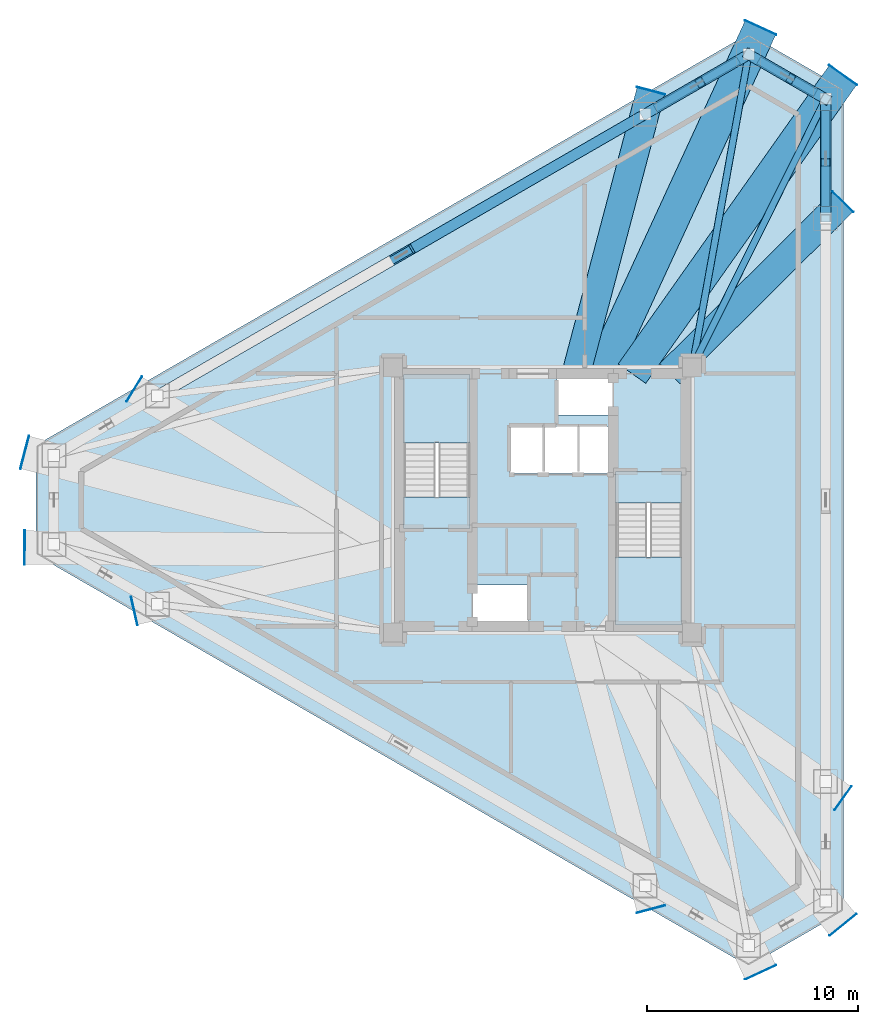
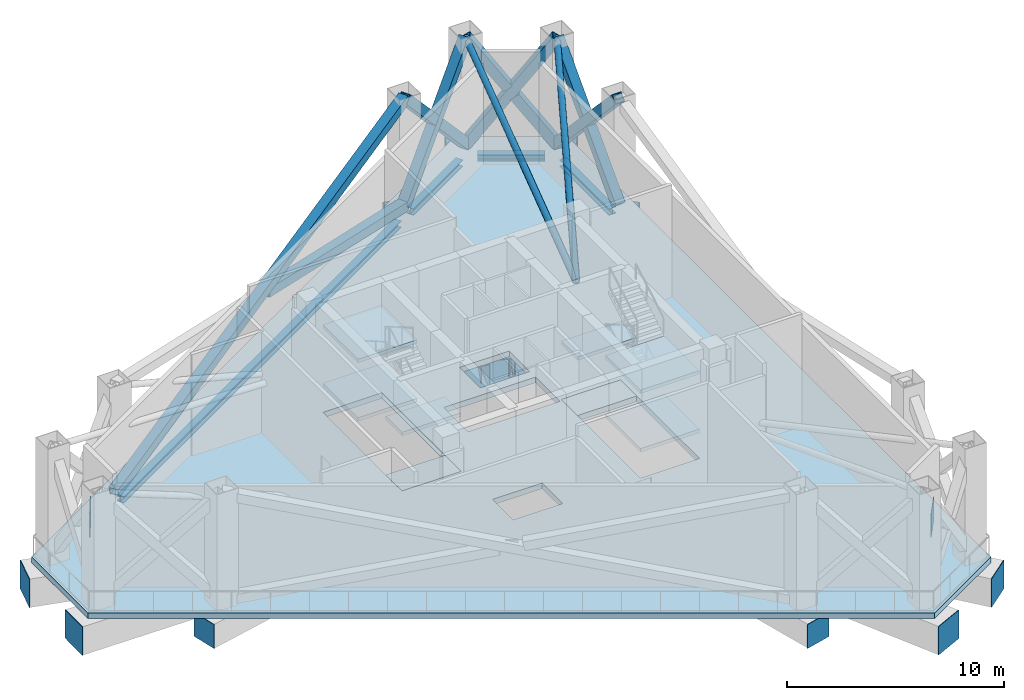
# One storey, part 2 of 7: 13 members, 12 plates, 9 slabs, 8 beams, 2 elements without a shape of their own.
"""IFC4 building model written with IfcOpenShell, lengths in metres."""

from ifc_helpers import new_model, si_unit, direction, frame, origin, origin_2d, place, context, subcontext, project, spatial, polyline, rectangle, hollow_rectangle, hollow_circle, i_section, outline, extrude, material, layer, layer_set, material_profile, profile_set, type_object, element, aggregate, save


model = new_model("IFC4")

# Units and contexts
model_context = context("Model", 3, precision=1e-05, world=origin(), true_north=direction((0.0, 1.0)))
body_context = subcontext(model_context, "Body", "Model", "MODEL_VIEW")
ifc_project = project(units=[si_unit("LENGTHUNIT", "METRE"), si_unit("AREAUNIT", "SQUARE_METRE"), si_unit("VOLUMEUNIT", "CUBIC_METRE"), si_unit("PLANEANGLEUNIT", "RADIAN"), si_unit("MASSUNIT", "GRAM", prefix="KILO")], contexts=[model_context])

# Site, building, storey
site_placement = place(None, origin())
site = spatial("IfcSite", under=ifc_project, at=site_placement, CompositionType="ELEMENT")
building_placement = place(site_placement, origin())
building = spatial("IfcBuilding", under=site, at=building_placement, Name="Mersakhor Tower and Convention Hall", CompositionType="ELEMENT")
storey_placement = place(building_placement, frame((0.0, 0.0, 66.89990234375)))
storey = spatial("IfcBuildingStorey", under=building, at=storey_placement, Name="L18", CompositionType="ELEMENT", Elevation=66.89990234375)

# Beams
ifc_material_1 = material(Name="Steel S355", Category="steel")
ifc_material_profile_1 = material_profile(ifc_material_1, i_section(OverallWidth=0.374755859375, OverallDepth=0.37451171875, WebThickness=0.0166015625, FlangeThickness=0.027099609375, at=origin_2d()), Name="UC 356x368x202")
ifc_profile_set_1 = profile_set([ifc_material_profile_1], Name="Steel S355")
beam_type_1 = type_object("IfcBeamType", Name="BM-SPD-UC356", PredefinedType="SPANDREL", material=ifc_profile_set_1)
beam_1_placement = place(storey_placement, frame((11.18310546875, 31.976318359375, -0.50732421875), z_axis=(0.866022538643, 0.500004962538, 0.0), x_axis=(-0.500004962538, 0.866022538643, 0.0)))
element("IfcBeam", 1, at=beam_1_placement, inside=storey, type_object=beam_type_1, Name="L18 Perimeter Spandrel Beam SPB-02", PredefinedType="SPANDREL", context=body_context, shape_type="SweptSolid", body=[
    extrude(i_section(OverallWidth=0.374755859375, OverallDepth=0.37451171875, WebThickness=0.0166015625, FlangeThickness=0.027099609375, at=origin_2d()), origin(), (0.0, 0.0, 1.0), 25.633544921875),
])
beam_2_placement = place(storey_placement, frame((34.343505859375, 45.34814453125, -0.50732421875), z_axis=(0.866046694585, 0.499963121439, 0.0), x_axis=(-0.499963121439, 0.866046694585, 0.0)))
element("IfcBeam", 2, at=beam_2_placement, inside=storey, type_object=beam_type_1, Name="L18 Perimeter Spandrel Beam SPB-03", PredefinedType="SPANDREL", context=body_context, shape_type="SweptSolid", body=[
    extrude(i_section(OverallWidth=0.374755859375, OverallDepth=0.37451171875, WebThickness=0.0166015625, FlangeThickness=0.027099609375, at=origin_2d()), origin(), (0.0, 0.0, 1.0), 4.566162109375),
])
beam_3_placement = place(storey_placement, frame((39.25927734375, 47.631103515625, -0.50732421875), z_axis=(0.866052319632, -0.499953377486, 0.0), x_axis=(0.499953377486, 0.866052319632, 0.0)))
element("IfcBeam", 3, at=beam_3_placement, inside=storey, type_object=beam_type_1, Name="L18 Perimeter Spandrel Beam SPB-04", PredefinedType="SPANDREL", context=body_context, shape_type="SweptSolid", body=[
    extrude(i_section(OverallWidth=0.374755859375, OverallDepth=0.37451171875, WebThickness=0.0166015625, FlangeThickness=0.027099609375, at=origin_2d()), origin(), (0.0, 0.0, 1.0), 3.111572265625),
])
beam_4_placement = place(storey_placement, frame((42.4345703125, 45.242919921875, -0.50732421875), z_axis=(0.0, -1.0, 0.0), x_axis=(1.0, 0.0, 0.0)))
element("IfcBeam", 4, at=beam_4_placement, inside=storey, type_object=beam_type_1, Name="L18 Perimeter Spandrel Beam SPB-05", PredefinedType="SPANDREL", context=body_context, shape_type="SweptSolid", body=[
    extrude(i_section(OverallWidth=0.374755859375, OverallDepth=0.37451171875, WebThickness=0.0166015625, FlangeThickness=0.027099609375, at=origin_2d()), origin(), (0.0, 0.0, 1.0), 4.566162109375),
])
ifc_material_2 = material(Name="Steel S460", Category="steel")
ifc_material_profile_2 = material_profile(ifc_material_2, hollow_rectangle(XDim=1.35009765625, YDim=1.35009765625, WallThickness=0.035888671875, at=origin_2d()), Name="SHS 1350x1350x36")
ifc_profile_set_2 = profile_set([ifc_material_profile_2], Name="Steel S460")
beam_type_2 = type_object("IfcBeamType", Name="BM-TR-BOX1350", PredefinedType="BEAM", material=ifc_profile_set_2)
beam_5_placement = place(storey_placement, frame((34.13330078125, 46.168212890625, -0.994873046875), z_axis=(-0.255571992926, -0.966790027065, 0.0), x_axis=(0.966790027065, -0.255571992926, 0.0)))
element("IfcBeam", 5, at=beam_5_placement, inside=storey, type_object=beam_type_2, Name="L18 Taper Step Transfer Girder STG-03", PredefinedType="BEAM", context=body_context, shape_type="SweptSolid", body=[
    extrude(hollow_rectangle(XDim=1.35009765625, YDim=1.35009765625, WallThickness=0.035888671875, at=origin_2d()), origin(), (0.0, 0.0, 1.0), 13.879150390625),
])
beam_6_placement = place(storey_placement, frame((43.25, 40.904541015625, -0.994873046875), z_axis=(-0.709486918074, -0.704718605602, 0.0), x_axis=(0.704718605602, -0.709486918074, 0.0)))
element("IfcBeam", 6, at=beam_6_placement, inside=storey, type_object=beam_type_2, Name="L18 Taper Step Transfer Girder STG-06", PredefinedType="BEAM", context=body_context, shape_type="SweptSolid", body=[
    extrude(hollow_rectangle(XDim=1.35009765625, YDim=1.35009765625, WallThickness=0.035888671875, at=origin_2d()), origin(), (0.0, 0.0, 1.0), 11.5712890625),
])
ifc_material_3 = material(Name="Steel S460", Category="steel")
ifc_material_profile_3 = material_profile(ifc_material_3, hollow_rectangle(XDim=1.60009765625, YDim=1.60009765625, WallThickness=0.0400390625, at=origin_2d()), Name="SHS 1600x1600x40")
ifc_profile_set_3 = profile_set([ifc_material_profile_3], Name="Steel S460")
beam_type_3 = type_object("IfcBeamType", Name="BM-TR-BOX1600", PredefinedType="BEAM", material=ifc_profile_set_3)
beam_7_placement = place(storey_placement, frame((39.3369140625, 49.172607421875, -1.119873046875), z_axis=(-0.418654039532, -0.90814580062, 0.0), x_axis=(0.90814580062, -0.418654039532, 0.0)))
element("IfcBeam", 7, at=beam_7_placement, inside=storey, type_object=beam_type_3, Name="L18 Taper Step Transfer Girder STG-04", PredefinedType="BEAM", context=body_context, shape_type="SweptSolid", body=[
    extrude(hollow_rectangle(XDim=1.60009765625, YDim=1.60009765625, WallThickness=0.0400390625, at=origin_2d()), origin(), (0.0, 0.0, 1.0), 18.083740234375),
])
beam_8_placement = place(storey_placement, frame((43.25, 46.913330078125, -1.119873046875), z_axis=(-0.577140168777, -0.816645103814, 0.0), x_axis=(0.816645103814, -0.577140168777, 0.0)))
element("IfcBeam", 8, at=beam_8_placement, inside=storey, type_object=beam_type_3, Name="L18 Taper Step Transfer Girder STG-05", PredefinedType="BEAM", context=body_context, shape_type="SweptSolid", body=[
    extrude(hollow_rectangle(XDim=1.60009765625, YDim=1.60009765625, WallThickness=0.0400390625, at=origin_2d()), origin(), (0.0, 0.0, 1.0), 17.34326171875),
])

# Members
ifc_material_4 = material(Name="Steel S460", Category="steel")
ifc_material_profile_4 = material_profile(ifc_material_4, hollow_rectangle(XDim=0.5, YDim=0.5, WallThickness=0.030029296875, at=origin_2d()), Name="SHS 500x500x30")
ifc_profile_set_4 = profile_set([ifc_material_profile_4], Name="Steel S460")
member_type_1 = type_object("IfcMemberType", Name="MB-BRC-SHS500", PredefinedType="BRACE", material=ifc_profile_set_4)
member_1_placement = place(storey_placement, frame((10.702392578125, 31.698974609375, 0.2001953125), z_axis=(0.845020615703, 0.487869911158, 0.218913473373), x_axis=(-0.499997718057, 0.866026721261, 0.0)))
element("IfcMember", 9, at=member_1_placement, inside=storey, type_object=member_type_1, Name="L18 Wind Zone Perimeter Diagonal WD-02A", PredefinedType="BRACE", context=body_context, shape_type="SweptSolid", body=[
    extrude(hollow_rectangle(XDim=0.5, YDim=0.5, WallThickness=0.030029296875, at=origin_2d()), origin(), (0.0, 0.0, 1.0), 27.408203125),
])
member_2_placement = place(storey_placement, frame((33.86279296875, 45.070556640625, 0.2001953125), z_axis=(-0.845023877506, -0.487864002441, 0.218914050639), x_axis=(0.499991728822, -0.866030179099, 0.0)))
element("IfcMember", 10, at=member_2_placement, inside=storey, type_object=member_type_1, Name="L18 Wind Zone Perimeter Diagonal WD-02B Lower Half", PredefinedType="BRACE", context=body_context, shape_type="SweptSolid", body=[
    extrude(hollow_rectangle(XDim=0.5, YDim=0.5, WallThickness=0.030029296875, at=origin_2d()), origin(), (0.0, 0.0, 1.0), 13.110595703125),
])
member_3_placement = place(storey_placement, frame((33.86279296875, 45.070556640625, 0.2001953125), z_axis=(0.595182749508, 0.343613402018, 0.726420900472), x_axis=(-0.499983064336, 0.866035181374, 0.0)))
element("IfcMember", 11, at=member_3_placement, inside=storey, type_object=member_type_1, Name="L18 Wind Zone Perimeter Diagonal WD-03A", PredefinedType="BRACE", context=body_context, shape_type="SweptSolid", body=[
    extrude(hollow_rectangle(XDim=0.5, YDim=0.5, WallThickness=0.030029296875, at=origin_2d()), origin(), (0.0, 0.0, 1.0), 8.259765625),
])
member_4_placement = place(storey_placement, frame((38.77880859375, 47.90869140625, 0.2001953125), z_axis=(-0.595182293645, -0.34362664951, 0.72641500747), x_axis=(0.499997808738, -0.866026668906, 0.0)))
element("IfcMember", 12, at=member_4_placement, inside=storey, type_object=member_type_1, Name="L18 Wind Zone Perimeter Diagonal WD-03B Lower Half", PredefinedType="BRACE", context=body_context, shape_type="SweptSolid", body=[
    extrude(hollow_rectangle(XDim=0.5, YDim=0.5, WallThickness=0.030029296875, at=origin_2d()), origin(), (0.0, 0.0, 1.0), 3.871337890625),
])
member_5_placement = place(storey_placement, frame((36.1669921875, 46.40087890625, 3.3876953125), z_axis=(-0.595155029377, -0.343610908569, 0.726444791102), x_axis=(0.499997808738, -0.866026668906, 0.0)))
element("IfcMember", 13, at=member_5_placement, inside=storey, type_object=member_type_1, Name="L18 Wind Zone Perimeter Diagonal WD-03B Upper Half", PredefinedType="BRACE", context=body_context, shape_type="SweptSolid", body=[
    extrude(hollow_rectangle(XDim=0.5, YDim=0.5, WallThickness=0.030029296875, at=origin_2d()), origin(), (0.0, 0.0, 1.0), 3.87158203125),
])
member_6_placement = place(storey_placement, frame((38.77880859375, 47.90869140625, 0.2001953125), z_axis=(0.498321046316, -0.287697705717, 0.817866838137), x_axis=(0.49998946241, 0.866031487579, 0.0)))
element("IfcMember", 14, at=member_6_placement, inside=storey, type_object=member_type_1, Name="L18 Wind Zone Perimeter Diagonal WD-04A", PredefinedType="BRACE", context=body_context, shape_type="SweptSolid", body=[
    extrude(hollow_rectangle(XDim=0.5, YDim=0.5, WallThickness=0.030029296875, at=origin_2d()), origin(), (0.0, 0.0, 1.0), 7.336181640625),
])
for number, where, z_axis, x_axis, name in (
    (15, (42.4345703125, 45.798095703125, 0.2001953125), (-0.498359377662, 0.287694834846, 0.817844491758), (-0.499956876673, -0.866050299617, 0.0), "L18 Wind Zone Perimeter Diagonal WD-04B Lower Half"),
    (16, (40.47021484375, 46.93212890625, 3.423828125), (-0.498276001845, 0.287688222774, 0.817897617347), (-0.500011000363, -0.866019052629, 0.0), "L18 Wind Zone Perimeter Diagonal WD-04B Upper Half"),
):
    element("IfcMember", number, at=place(storey_placement, frame(where, z_axis=z_axis, x_axis=x_axis)), inside=storey, type_object=member_type_1, Name=name, PredefinedType="BRACE", context=body_context, shape_type="SweptSolid", body=[
        extrude(hollow_rectangle(XDim=0.5, YDim=0.5, WallThickness=0.030029296875, at=origin_2d()), origin(), (0.0, 0.0, 1.0), 3.39453125),
    ])
member_7_placement = place(storey_placement, frame((42.4345703125, 45.798095703125, 0.2001953125), z_axis=(0.0, -0.687253396, 0.726417765261), x_axis=(1.0, 0.0, 0.0)))
element("IfcMember", 17, at=member_7_placement, inside=storey, type_object=member_type_1, Name="L18 Wind Zone Perimeter Diagonal WD-05A", PredefinedType="BRACE", context=body_context, shape_type="SweptSolid", body=[
    extrude(hollow_rectangle(XDim=0.5, YDim=0.5, WallThickness=0.030029296875, at=origin_2d()), origin(), (0.0, 0.0, 1.0), 8.259765625),
])
member_8_placement = place(storey_placement, frame((42.4345703125, 40.12158203125, 0.2001953125), z_axis=(0.0, 0.687254721607, 0.726416511121), x_axis=(-1.0, 0.0, 0.0)))
element("IfcMember", 18, at=member_8_placement, inside=storey, type_object=member_type_1, Name="L18 Wind Zone Perimeter Diagonal WD-05B Lower Half", PredefinedType="BRACE", context=body_context, shape_type="SweptSolid", body=[
    extrude(hollow_rectangle(XDim=0.5, YDim=0.5, WallThickness=0.030029296875, at=origin_2d()), origin(), (0.0, 0.0, 1.0), 3.871337890625),
])
member_9_placement = place(storey_placement, frame((42.4345703125, 43.137451171875, 3.3876953125), z_axis=(0.0, 0.68722323953, 0.726446294677), x_axis=(-1.0, 0.0, 0.0)))
element("IfcMember", 19, at=member_9_placement, inside=storey, type_object=member_type_1, Name="L18 Wind Zone Perimeter Diagonal WD-05B Upper Half", PredefinedType="BRACE", context=body_context, shape_type="SweptSolid", body=[
    extrude(hollow_rectangle(XDim=0.5, YDim=0.5, WallThickness=0.030029296875, at=origin_2d()), origin(), (0.0, 0.0, 1.0), 3.87158203125),
])
ifc_material_5 = material(Name="Steel S355", Category="steel")
ifc_material_profile_5 = material_profile(ifc_material_5, hollow_circle(Radius=0.161865234375, WallThickness=0.02001953125, at=origin_2d()), Name="CHS 323.9x20")
ifc_profile_set_5 = profile_set([ifc_material_profile_5], Name="Steel S355")
member_type_2 = type_object("IfcMemberType", Name="MB-STR-CHS324", PredefinedType="STRUT", material=ifc_profile_set_5)
member_10_placement = place(storey_placement, frame((36.10009765625, 33.050048828125, 2.380126953125), z_axis=(0.171999543416, 0.954070744792, 0.245285896449), x_axis=(-0.984135303501, 0.177419571647, 0.0)))
element("IfcMember", 20, at=member_10_placement, inside=storey, type_object=member_type_2, Name="L18 Radial Structural Strut RS-3", PredefinedType="STRUT", context=body_context, shape_type="SweptSolid", body=[
    extrude(hollow_circle(Radius=0.161865234375, WallThickness=0.02001953125, at=origin_2d()), origin(), (0.0, 0.0, 1.0), 15.573974609375),
])
member_11_placement = place(storey_placement, frame((36.10009765625, 33.050048828125, 2.380126953125), z_axis=(0.429783165123, 0.86493323634, 0.259185122357), x_axis=(-0.895535788139, 0.444989496688, 0.0)))
element("IfcMember", 21, at=member_11_placement, inside=storey, type_object=member_type_2, Name="L18 Radial Structural Strut RS-4", PredefinedType="STRUT", context=body_context, shape_type="SweptSolid", body=[
    extrude(hollow_circle(Radius=0.161865234375, WallThickness=0.02001953125, at=origin_2d()), origin(), (0.0, 0.0, 1.0), 14.73876953125),
])

# Plates
ifc_material_6 = material(Name="Steel S355", Category="steel")
ifc_layer_1 = layer(ifc_material_6, 0.031982421875)
ifc_layer_set_1 = layer_set([ifc_layer_1], Name="Steel S355")
plate_type = type_object("IfcPlateType", Name="PL-CAP-32", PredefinedType="SHEET", material=ifc_layer_set_1)
plate_1_placement = place(storey_placement, frame((4.397705078125, 29.013427734375, -1.919921875), z_axis=(0.0, 0.0, 1.0), x_axis=(0.967356272077, -0.253420288991, 0.0)))
element("IfcPlate", 22, at=plate_1_placement, inside=storey, type_object=plate_type, Name="L18 Step Transfer End Cap Plate SCEP-01", PredefinedType="SHEET", context=body_context, shape_type="SweptSolid", body=[
    extrude(rectangle(XDim=0.031982421875, YDim=1.639892578125, at=origin_2d()), origin(), (0.0, 0.0, 1.0), 1.60009765625),
])
for number, where, z_axis, x_axis, name in (
    (23, (9.60302734375, 32.02197265625, -1.669921875), (0.0, 0.0, 1.0), (0.854095929175, -0.520115510024, 0.0), "L18 Step Transfer End Cap Plate SCEP-02"),
    (24, (34.137451171875, 46.18359375, -1.669921875), (0.0, 0.0, 1.0), (-0.255614496558, -0.966778790184, 0.0), "L18 Step Transfer End Cap Plate SCEP-03"),
):
    element("IfcPlate", number, at=place(storey_placement, frame(where, z_axis=z_axis, x_axis=x_axis)), inside=storey, type_object=plate_type, Name=name, PredefinedType="SHEET", context=body_context, shape_type="SweptSolid", body=[
        extrude(rectangle(XDim=0.031982421875, YDim=1.389892578125, at=origin_2d()), origin(), (0.0, 0.0, 1.0), 1.35009765625),
    ])
for number, where, z_axis, x_axis, name in (
    (25, (39.343505859375, 49.18701171875, -1.919921875), (0.0, 0.0, 1.0), (-0.418659737537, -0.908143173825, 0.0), "L18 Step Transfer End Cap Plate SCEP-04"),
    (26, (43.25927734375, 46.926513671875, -1.919921875), (0.0, 0.0, 1.0), (-0.577145190037, -0.816641555162, 0.0), "L18 Step Transfer End Cap Plate SCEP-05"),
):
    element("IfcPlate", number, at=place(storey_placement, frame(where, z_axis=z_axis, x_axis=x_axis)), inside=storey, type_object=plate_type, Name=name, PredefinedType="SHEET", context=body_context, shape_type="SweptSolid", body=[
        extrude(rectangle(XDim=0.031982421875, YDim=1.639892578125, at=origin_2d()), origin(), (0.0, 0.0, 1.0), 1.60009765625),
    ])
for number, where, z_axis, x_axis, name in (
    (27, (43.261474609375, 40.916015625, -1.669921875), (0.0, 0.0, 1.0), (-0.70944774386, -0.704758042687, 0.0), "L18 Step Transfer End Cap Plate SCEP-06"),
    (28, (43.26318359375, 12.586181640625, -1.669921875), (0.0, 0.0, 1.0), (-0.818049347616, 0.575148037348, 0.0), "L18 Step Transfer End Cap Plate SCEP-07"),
):
    element("IfcPlate", number, at=place(storey_placement, frame(where, z_axis=z_axis, x_axis=x_axis)), inside=storey, type_object=plate_type, Name=name, PredefinedType="SHEET", context=body_context, shape_type="SweptSolid", body=[
        extrude(rectangle(XDim=0.031982421875, YDim=1.389892578125, at=origin_2d()), origin(), (0.0, 0.0, 1.0), 1.35009765625),
    ])
for number, where, z_axis, x_axis, name in (
    (29, (43.260009765625, 6.57421875, -1.919921875), (0.0, 0.0, 1.0), (-0.633650955225, 0.773619070953, 0.0), "L18 Step Transfer End Cap Plate SCEP-08"),
    (30, (39.34375, 4.31298828125, -1.919921875), (0.0, 0.0, 1.0), (-0.423883293765, 0.90571681737, 0.0), "L18 Step Transfer End Cap Plate SCEP-09"),
):
    element("IfcPlate", number, at=place(storey_placement, frame(where, z_axis=z_axis, x_axis=x_axis)), inside=storey, type_object=plate_type, Name=name, PredefinedType="SHEET", context=body_context, shape_type="SweptSolid", body=[
        extrude(rectangle(XDim=0.031982421875, YDim=1.639892578125, at=origin_2d()), origin(), (0.0, 0.0, 1.0), 1.60009765625),
    ])
for number, where, z_axis, x_axis, name in (
    (31, (34.137451171875, 7.31640625, -1.669921875), (0.0, 0.0, 1.0), (-0.255614496558, 0.966778790184, 0.0), "L18 Step Transfer End Cap Plate SCEP-10"),
    (32, (9.60107421875, 21.48291015625, -1.669921875), (0.0, 0.0, 1.0), (0.975071959883, 0.221888875454, 0.0), "L18 Step Transfer End Cap Plate SCEP-11"),
):
    element("IfcPlate", number, at=place(storey_placement, frame(where, z_axis=z_axis, x_axis=x_axis)), inside=storey, type_object=plate_type, Name=name, PredefinedType="SHEET", context=body_context, shape_type="SweptSolid", body=[
        extrude(rectangle(XDim=0.031982421875, YDim=1.389892578125, at=origin_2d()), origin(), (0.0, 0.0, 1.0), 1.35009765625),
    ])
plate_2_placement = place(storey_placement, frame((4.397216796875, 24.49072265625, -1.919921875), z_axis=(0.0, 0.0, 1.0), x_axis=(0.999969157645, -0.007853900889, 0.0)))
element("IfcPlate", 33, at=plate_2_placement, inside=storey, type_object=plate_type, Name="L18 Step Transfer End Cap Plate SCEP-12", PredefinedType="SHEET", context=body_context, shape_type="SweptSolid", body=[
    extrude(rectangle(XDim=0.031982421875, YDim=1.639892578125, at=origin_2d()), origin(), (0.0, 0.0, 1.0), 1.60009765625),
])

# Slabs
ifc_material_7 = material(Name="Concrete C45/55", Category="concrete")
ifc_layer_2 = layer(ifc_material_7, 0.320068359375)
ifc_layer_set_2 = layer_set([ifc_layer_2], Name="Concrete C45/55")
slab_type_1 = type_object("IfcSlabType", Name="SL-FLR-320", PredefinedType="FLOOR", material=ifc_layer_set_2)
slab_1_placement = place(storey_placement, frame((0.0, 0.0, -0.31982421875)))
element("IfcSlab", 34, at=slab_1_placement, inside=storey, type_object=slab_type_1, Name="L18 ST-1 Structural Stair Floor Landing", PredefinedType="LANDING", context=body_context, shape_type="SweptSolid", body=[
    extrude(outline(polyline([(25.550048828125, 25.39990234375), (25.550048828125, 26.89990234375), (22.39990234375, 26.89990234375), (22.39990234375, 25.39990234375), (25.550048828125, 25.39990234375)])), origin(), (0.0, 0.0, 1.0), 0.31982421875),
])
slab_2_placement = place(storey_placement, frame((0.0, 0.0, -0.31982421875)))
element("IfcSlab", 35, at=slab_2_placement, inside=storey, type_object=slab_type_1, Name="L18 ST-2 Structural Stair Floor Landing", PredefinedType="LANDING", context=body_context, shape_type="SweptSolid", body=[
    extrude(outline(polyline([(32.449951171875, 28.10009765625), (32.449951171875, 26.60009765625), (35.60009765625, 26.60009765625), (35.60009765625, 28.10009765625), (32.449951171875, 28.10009765625)])), origin(), (0.0, 0.0, 1.0), 0.31982421875),
])
slab_3_placement = place(storey_placement, frame((0.0, 0.0, -0.31982421875)))
element("IfcSlab", 36, at=slab_3_placement, inside=storey, type_object=slab_type_1, Name="Tower L18 Structural Floor Slab", PredefinedType="FLOOR", context=body_context, shape_type="SweptSolid", body=[
    extrude(outline(polyline([(4.936767578125, 29.3515625), (38.77880859375, 48.89013671875), (43.28466796875, 46.288818359375), (43.28466796875, 7.211181640625), (38.77880859375, 4.60986328125), (4.936767578125, 24.1484375), (4.936767578125, 29.3515625)]), holes=[polyline([(25.550048828125, 25.39990234375), (25.550048828125, 32.699951171875), (22.39990234375, 32.699951171875), (22.39990234375, 25.39990234375), (25.550048828125, 25.39990234375)]), polyline([(32.449951171875, 28.10009765625), (32.449951171875, 20.800048828125), (35.60009765625, 20.800048828125), (35.60009765625, 28.10009765625), (32.449951171875, 28.10009765625)]), polyline([(25.679931640625, 20.820068359375), (25.679931640625, 22.719970703125), (28.320068359375, 22.719970703125), (28.320068359375, 20.820068359375), (25.679931640625, 20.820068359375)]), polyline([(29.679931640625, 30.780029296875), (29.679931640625, 32.679931640625), (32.320068359375, 32.679931640625), (32.320068359375, 30.780029296875), (29.679931640625, 30.780029296875)]), polyline([(27.429931640625, 28.0), (27.429931640625, 30.25), (32.320068359375, 30.25), (32.320068359375, 28.0), (27.429931640625, 28.0)])]), origin(), (0.0, 0.0, 1.0), 0.31982421875),
])

# Stair, slabs
ifc_material_8 = material(Name="Concrete C45/55", Category="concrete")
stair_type = type_object("IfcStairType", Name="ST-TWR-40R", PredefinedType="HALF_TURN_STAIR", material=ifc_material_8)
stair_1_placement = place(storey_placement, origin())
stair_1 = element("IfcStair", 37, at=stair_1_placement, inside=storey, type_object=stair_type, Name="L18 Tower Protected Exit Stair ST-1", PredefinedType="HALF_TURN_STAIR")
ifc_material_9 = material(Name="Concrete C45/55", Category="concrete")
ifc_layer_3 = layer(ifc_material_9, 0.199951171875)
ifc_layer_set_3 = layer_set([ifc_layer_3], Name="Concrete C45/55")
slab_type_2 = type_object("IfcSlabType", Name="SL-LAND-200", PredefinedType="LANDING", material=ifc_layer_set_3)
slab_4_placement = place(storey_placement, frame((0.0, 0.0, 1.4501953125)))
slab_4 = element("IfcSlab", 38, at=slab_4_placement, type_object=slab_type_2, Name="ST-1 landing 1", PredefinedType="LANDING", context=body_context, shape_type="SweptSolid", body=[
    extrude(outline(polyline([(25.550048828125, 29.465087890625), (25.550048828125, 32.699951171875), (22.39990234375, 32.699951171875), (22.39990234375, 29.465087890625), (25.550048828125, 29.465087890625)])), origin(), (0.0, 0.0, 1.0), 0.199951171875),
])
slab_5_placement = place(storey_placement, frame((0.0, 0.0, 3.10009765625)))
slab_5 = element("IfcSlab", 39, at=slab_5_placement, type_object=slab_type_2, Name="ST-1 landing 2", PredefinedType="LANDING", context=body_context, shape_type="SweptSolid", body=[
    extrude(outline(polyline([(25.550048828125, 25.39990234375), (25.550048828125, 26.89990234375), (22.39990234375, 26.89990234375), (22.39990234375, 25.39990234375), (25.550048828125, 25.39990234375)])), origin(), (0.0, 0.0, 1.0), 0.199951171875),
])
slab_6_placement = place(storey_placement, frame((0.0, 0.0, 4.75)))
slab_6 = element("IfcSlab", 40, at=slab_6_placement, type_object=slab_type_2, Name="ST-1 landing 3", PredefinedType="LANDING", context=body_context, shape_type="SweptSolid", body=[
    extrude(outline(polyline([(25.550048828125, 29.465087890625), (25.550048828125, 32.699951171875), (22.39990234375, 32.699951171875), (22.39990234375, 29.465087890625), (25.550048828125, 29.465087890625)])), origin(), (0.0, 0.0, 1.0), 0.2001953125),
])
aggregate(stair_1, [slab_4, slab_5, slab_6])

stair_2_placement = place(storey_placement, origin())
stair_2 = element("IfcStair", 41, at=stair_2_placement, inside=storey, type_object=stair_type, Name="L18 Tower Protected Exit Stair ST-2", PredefinedType="HALF_TURN_STAIR")
slab_7_placement = place(storey_placement, frame((0.0, 0.0, 1.4501953125)))
slab_7 = element("IfcSlab", 42, at=slab_7_placement, type_object=slab_type_2, Name="ST-2 landing 1", PredefinedType="LANDING", context=body_context, shape_type="SweptSolid", body=[
    extrude(outline(polyline([(32.449951171875, 24.034912109375), (32.449951171875, 20.800048828125), (35.60009765625, 20.800048828125), (35.60009765625, 24.034912109375), (32.449951171875, 24.034912109375)])), origin(), (0.0, 0.0, 1.0), 0.199951171875),
])
slab_8_placement = place(storey_placement, frame((0.0, 0.0, 3.10009765625)))
slab_8 = element("IfcSlab", 43, at=slab_8_placement, type_object=slab_type_2, Name="ST-2 landing 2", PredefinedType="LANDING", context=body_context, shape_type="SweptSolid", body=[
    extrude(outline(polyline([(32.449951171875, 28.10009765625), (32.449951171875, 26.60009765625), (35.60009765625, 26.60009765625), (35.60009765625, 28.10009765625), (32.449951171875, 28.10009765625)])), origin(), (0.0, 0.0, 1.0), 0.199951171875),
])
slab_9_placement = place(storey_placement, frame((0.0, 0.0, 4.75)))
slab_9 = element("IfcSlab", 44, at=slab_9_placement, type_object=slab_type_2, Name="ST-2 landing 3", PredefinedType="LANDING", context=body_context, shape_type="SweptSolid", body=[
    extrude(outline(polyline([(32.449951171875, 24.034912109375), (32.449951171875, 20.800048828125), (35.60009765625, 20.800048828125), (35.60009765625, 24.034912109375), (32.449951171875, 24.034912109375)])), origin(), (0.0, 0.0, 1.0), 0.2001953125),
])
aggregate(stair_2, [slab_7, slab_8, slab_9])

save(model, "model.ifc")
